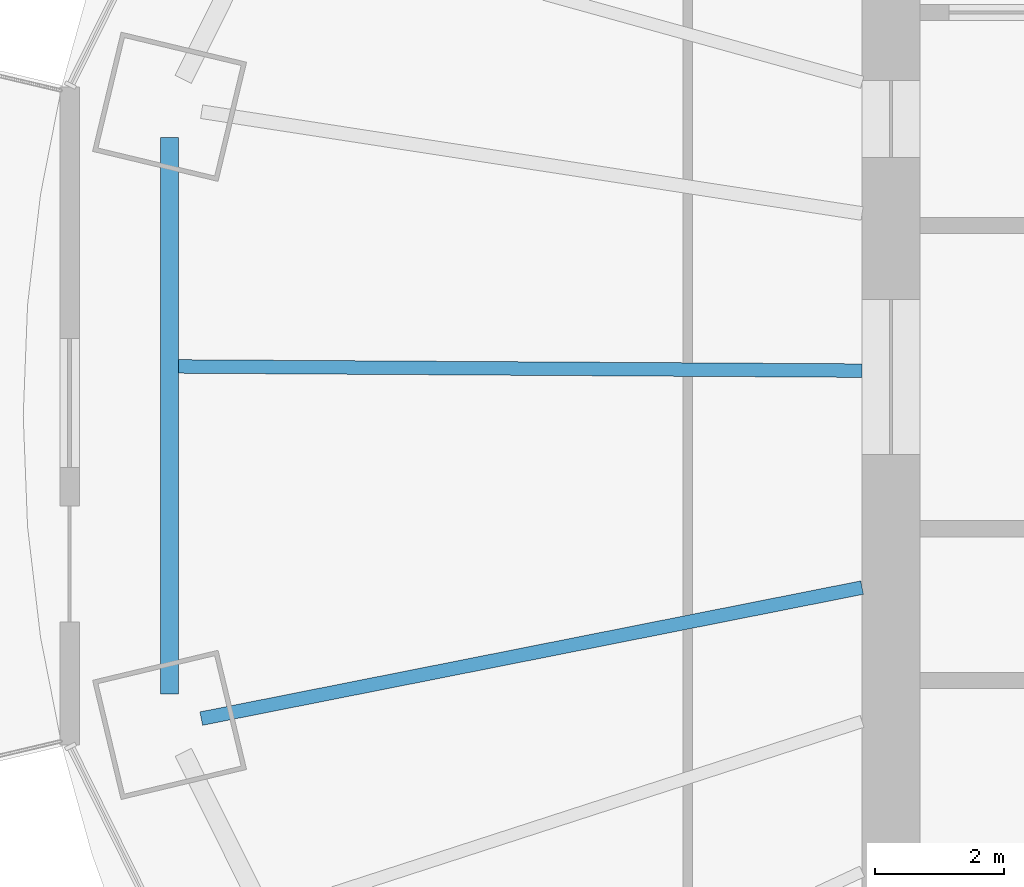
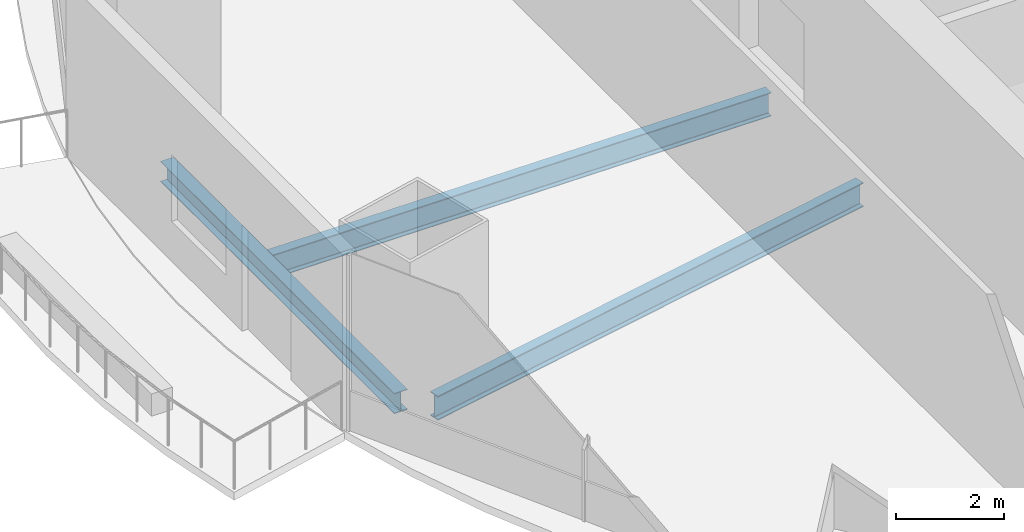
# One storey, part 3 of 20: 3 beams.
"""IFC4 building model written with IfcOpenShell, lengths in metres."""

from ifc_helpers import new_model, si_unit, direction, frame, origin, origin_2d, place, context, subcontext, project, spatial, i_section, extrude, material, material_profile, profile_set, type_object, element, save


model = new_model("IFC4")

# Units and contexts
model_context = context("Model", 3, precision=1e-05, world=origin(), true_north=direction((0.0, 1.0)))
body_context = subcontext(model_context, "Body", "Model", "MODEL_VIEW")
ifc_project = project(units=[si_unit("LENGTHUNIT", "METRE"), si_unit("AREAUNIT", "SQUARE_METRE"), si_unit("VOLUMEUNIT", "CUBIC_METRE"), si_unit("PLANEANGLEUNIT", "RADIAN"), si_unit("MASSUNIT", "GRAM", prefix="KILO")], contexts=[model_context])

# Site, building, storey
site_placement = place(None, origin())
site = spatial("IfcSite", under=ifc_project, at=site_placement, CompositionType="ELEMENT")
building_placement = place(site_placement, origin())
building = spatial("IfcBuilding", under=site, at=building_placement, Name="Marenthal Gate Tower", CompositionType="ELEMENT")
storey_placement = place(building_placement, frame((0.0, 0.0, 215.0)))
storey = spatial("IfcBuildingStorey", under=building, at=storey_placement, Name="L47", CompositionType="ELEMENT", Elevation=215.0)

# Beams
ifc_material_1 = material(Name="Steel S355", Category="steel")
ifc_material_profile_1 = material_profile(ifc_material_1, i_section(OverallWidth=0.279052734375, OverallDepth=0.4619140625, WebThickness=0.0107421875, FlangeThickness=0.017333984375, FilletRadius=0.010009765625, at=origin_2d()), Name="W460X113")
ifc_profile_set_1 = profile_set([ifc_material_profile_1], Name="Steel S355")
beam_type_1 = type_object("IfcBeamType", Name="W460X113 beam", PredefinedType="BEAM", material=ifc_profile_set_1)
beam_1_placement = place(storey_placement, frame((-27.18212890625, 3.712646484375, -0.410888671875), z_axis=(0.0, -1.0, 0.0), x_axis=(1.0, 0.0, 0.0)))
element("IfcBeam", 1, at=beam_1_placement, inside=storey, type_object=beam_type_1, Name="BM-L47-48", PredefinedType="BEAM", context=body_context, shape_type="SweptSolid", body=[
    extrude(i_section(OverallWidth=0.279052734375, OverallDepth=0.4619140625, WebThickness=0.0107421875, FlangeThickness=0.017333984375, FilletRadius=0.010009765625, at=origin_2d()), origin(), (0.0, 0.0, 1.0), 8.625244140625),
])
ifc_material_2 = material(Name="Steel S355", Category="steel")
ifc_material_profile_2 = material_profile(ifc_material_2, i_section(OverallWidth=0.2099609375, OverallDepth=0.535888671875, WebThickness=0.010986328125, FlangeThickness=0.017333984375, FilletRadius=0.0126953125, at=origin_2d()), Name="W530X101")
ifc_profile_set_2 = profile_set([ifc_material_profile_2], Name="Steel S355")
beam_type_2 = type_object("IfcBeamType", Name="W530X101 beam", PredefinedType="BEAM", material=ifc_profile_set_2)
beam_2_placement = place(storey_placement, frame((-27.042724609375, 0.16552734375, -0.447998046875), z_axis=(0.999981207621, -0.006130612179, 0.0), x_axis=(0.006130612179, 0.999981207621, 0.0)))
element("IfcBeam", 2, at=beam_2_placement, inside=storey, type_object=beam_type_2, Name="BM-L47-28", PredefinedType="BEAM", context=body_context, shape_type="SweptSolid", body=[
    extrude(i_section(OverallWidth=0.2099609375, OverallDepth=0.535888671875, WebThickness=0.010986328125, FlangeThickness=0.017333984375, FilletRadius=0.0126953125, at=origin_2d()), origin(), (0.0, 0.0, 1.0), 10.593017578125),
])
ifc_material_3 = material(Name="Steel S355", Category="steel")
ifc_material_profile_3 = material_profile(ifc_material_3, i_section(OverallWidth=0.2119140625, OverallDepth=0.5439453125, WebThickness=0.01318359375, FlangeThickness=0.021240234375, FilletRadius=0.0126953125, at=origin_2d()), Name="W530X123")
ifc_profile_set_3 = profile_set([ifc_material_profile_3], Name="Steel S355")
beam_type_3 = type_object("IfcBeamType", Name="W530X123 beam", PredefinedType="BEAM", material=ifc_profile_set_3)
beam_3_placement = place(storey_placement, frame((-26.69091796875, -5.2919921875, -0.451904296875), z_axis=(0.980909367925, 0.194465451729, 0.0), x_axis=(-0.194465451729, 0.980909367925, 0.0)))
element("IfcBeam", 3, at=beam_3_placement, inside=storey, type_object=beam_type_3, Name="BM-L47-09", PredefinedType="BEAM", context=body_context, shape_type="SweptSolid", body=[
    extrude(i_section(OverallWidth=0.2119140625, OverallDepth=0.5439453125, WebThickness=0.01318359375, FlangeThickness=0.021240234375, FilletRadius=0.0126953125, at=origin_2d()), origin(), (0.0, 0.0, 1.0), 10.440185546875),
])

save(model, "model.ifc")
